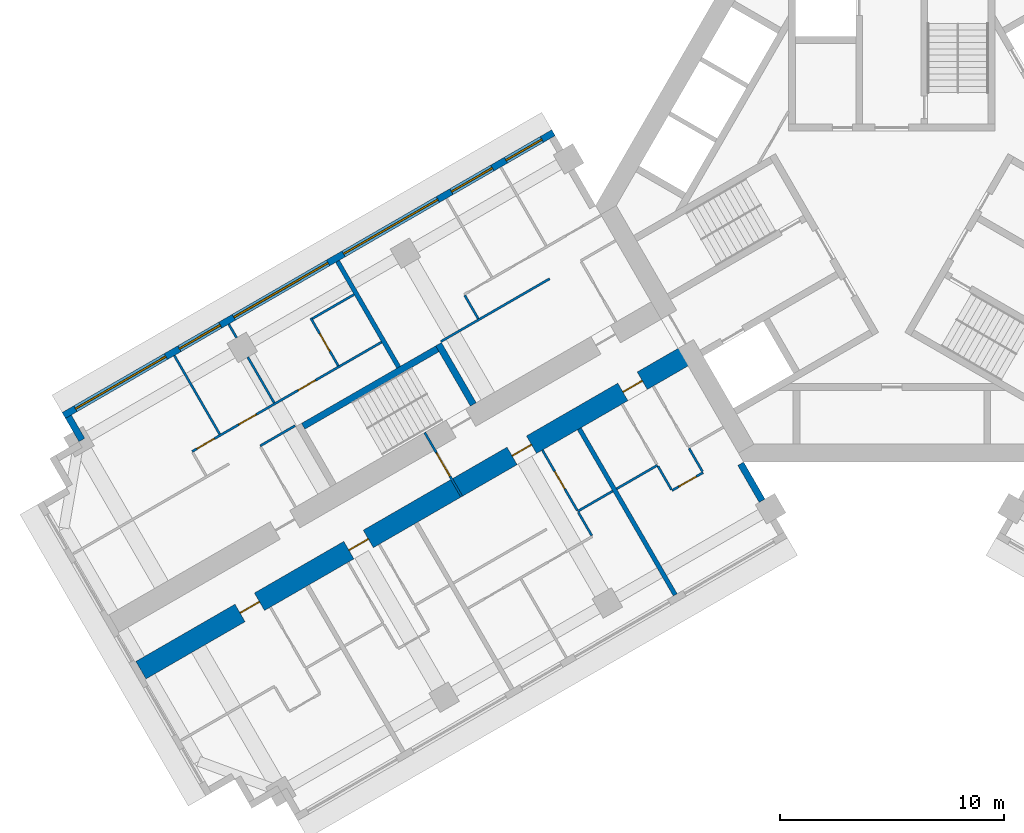
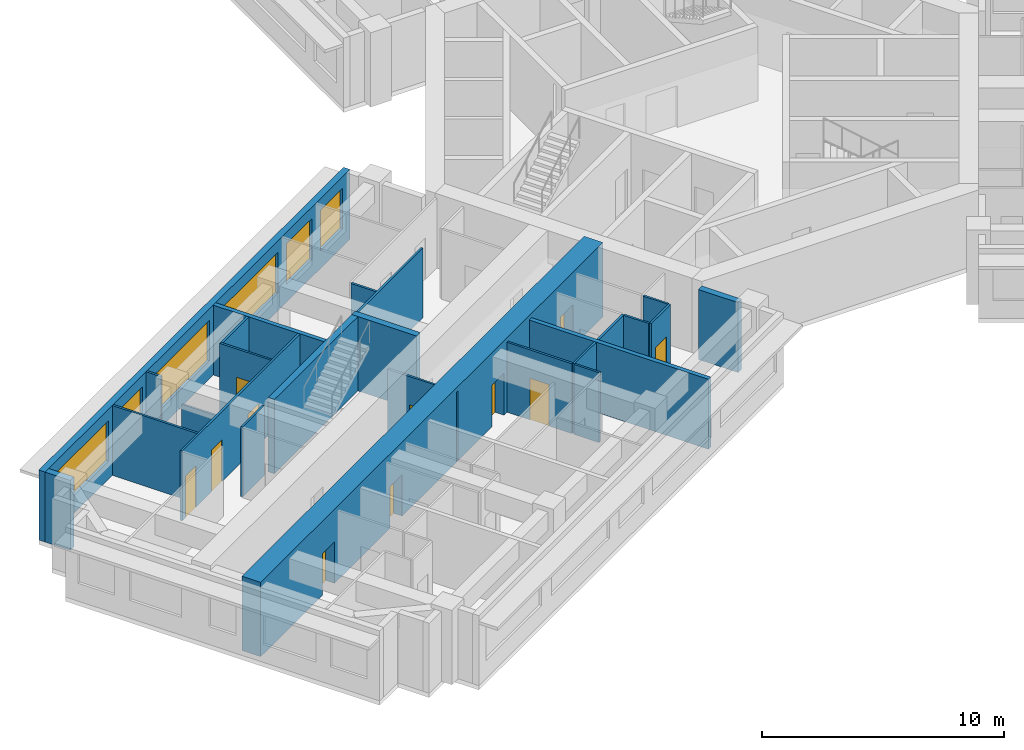
# One storey, part 4 of 14: 25 walls, 11 doors, 6 windows, 17 openings.
"""IFC4 building model written with IfcOpenShell, lengths in metres."""

from ifc_helpers import new_model, si_unit, direction, frame, frame_2d, origin, place, context, subcontext, project, spatial, rectangle, extrude, material, layer, layer_set, type_object, element, fill, save


model = new_model("IFC4")

# Units and contexts
model_context = context("Model", 3, precision=1e-05, world=origin(), true_north=direction((0.0, 1.0)))
body_context = subcontext(model_context, "Body", "Model", "MODEL_VIEW")
ifc_project = project(units=[si_unit("LENGTHUNIT", "METRE"), si_unit("AREAUNIT", "SQUARE_METRE"), si_unit("VOLUMEUNIT", "CUBIC_METRE"), si_unit("PLANEANGLEUNIT", "RADIAN"), si_unit("MASSUNIT", "GRAM", prefix="KILO")], contexts=[model_context])

# Site, building, storey
site_placement = place(None, origin())
site = spatial("IfcSite", under=ifc_project, at=site_placement, CompositionType="ELEMENT")
building_placement = place(site_placement, origin())
building = spatial("IfcBuilding", under=site, at=building_placement, Name="Impinga Residences", CompositionType="ELEMENT")
storey_placement = place(building_placement, frame((0.0, 0.0, 158.5)))
storey = spatial("IfcBuildingStorey", under=building, at=storey_placement, Name="L39", CompositionType="ELEMENT", Elevation=158.5)

# Wall, openings, doors
ifc_material_1 = material(Name="Concrete C60/75", Category="concrete")
ifc_layer_1 = layer(ifc_material_1, 0.89990234375)
ifc_layer_set_1 = layer_set([ifc_layer_1], Name="Concrete C60/75")
wall_type_1 = type_object("IfcWallType", Name="BW2 corridor buttress wall, L24 to L44 900", PredefinedType="SHEAR", material=ifc_layer_set_1)
wall_1_placement = place(storey_placement, frame((-8.95361328125, -6.554931640625, 0.0), z_axis=(0.0, 0.0, 1.0), x_axis=(-0.866023392092, -0.500003484338, 0.0)))
wall_1 = element("IfcWall", 1, at=wall_1_placement, inside=storey, type_object=wall_type_1, Name="Corridor wall BW2 WC L39", PredefinedType="SHEAR", context=body_context, shape_type="SweptSolid", body=[
    extrude(rectangle(XDim=28.300048828125, YDim=0.89990234375, at=frame_2d((14.14990234375, 0.0))), origin(), (0.0, 0.0, 1.0), 3.75),
])
opening_1_placement = place(wall_1_placement, frame((2.5, 0.0, 0.0)))
opening_1 = element("IfcOpeningElement", 2, at=opening_1_placement, cuts=wall_1, Name="Opening D1", PredefinedType="OPENING", context=body_context, shape_type="SweptSolid", body=[
    extrude(rectangle(XDim=1.0, YDim=2.10009765625, at=frame_2d((0.5, 1.050048828125))), frame((0.0, 0.4599609375, 0.0), z_axis=(0.0, -1.0, 0.0), x_axis=(1.0, 0.0, 0.0)), (0.0, 0.0, 1.0), 0.919921875),
])
opening_2_placement = place(wall_1_placement, frame((8.199951171875, 0.0, 0.0)))
opening_2 = element("IfcOpeningElement", 3, at=opening_2_placement, cuts=wall_1, Name="Opening D1", PredefinedType="OPENING", context=body_context, shape_type="SweptSolid", body=[
    extrude(rectangle(XDim=1.0, YDim=2.10009765625, at=frame_2d((0.5, 1.050048828125))), frame((0.0, 0.4599609375, 0.0), z_axis=(0.0, -1.0, 0.0), x_axis=(1.0, 0.0, 0.0)), (0.0, 0.0, 1.0), 0.919921875),
])
opening_3_placement = place(wall_1_placement, frame((16.60009765625, 0.0, 0.0)))
opening_3 = element("IfcOpeningElement", 4, at=opening_3_placement, cuts=wall_1, Name="Opening D1", PredefinedType="OPENING", context=body_context, shape_type="SweptSolid", body=[
    extrude(rectangle(XDim=1.0, YDim=2.10009765625, at=frame_2d((0.5, 1.050048828125))), frame((0.0, 0.4599609375, 0.0), z_axis=(0.0, -1.0, 0.0), x_axis=(1.0, 0.0, 0.0)), (0.0, 0.0, 1.0), 0.919921875),
])
opening_4_placement = place(wall_1_placement, frame((22.199951171875, 0.0, 0.0)))
opening_4 = element("IfcOpeningElement", 5, at=opening_4_placement, cuts=wall_1, Name="Opening D1", PredefinedType="OPENING", context=body_context, shape_type="SweptSolid", body=[
    extrude(rectangle(XDim=1.0, YDim=2.10009765625, at=frame_2d((0.5, 1.050048828125))), frame((0.0, 0.4599609375, 0.0), z_axis=(0.0, -1.0, 0.0), x_axis=(1.0, 0.0, 0.0)), (0.0, 0.0, 1.0), 0.919921875),
])
ifc_material_2 = material(Name="Timber door set", Category="wood")
door_type_1 = type_object("IfcDoorType", Name="D1 apartment entrance door 1000x2100", OperationType="SINGLE_SWING_LEFT", PredefinedType="DOOR", material=ifc_material_2)
door_1_placement = place(opening_1_placement, origin())
door_1 = element("IfcDoor", 6, at=door_1_placement, inside=storey, type_object=door_type_1, Name="Apartment L39-WA1 entrance", OperationType="SINGLE_SWING_LEFT", OverallHeight=2.10009765625, OverallWidth=1.0, PredefinedType="DOOR", context=body_context, shape_type="SweptSolid", body=[
    extrude(rectangle(XDim=1.0, YDim=2.10009765625, at=frame_2d((0.5, 1.050048828125))), frame((0.0, 0.02490234375, 0.0), z_axis=(0.0, -1.0, 0.0), x_axis=(1.0, 0.0, 0.0)), (0.0, 0.0, 1.0), 0.050048828125),
])
fill(opening_1, door_1)
door_2_placement = place(opening_2_placement, origin())
door_2 = element("IfcDoor", 7, at=door_2_placement, inside=storey, type_object=door_type_1, Name="Apartment L39-WA2 entrance", OperationType="SINGLE_SWING_LEFT", OverallHeight=2.10009765625, OverallWidth=1.0, PredefinedType="DOOR", context=body_context, shape_type="SweptSolid", body=[
    extrude(rectangle(XDim=1.0, YDim=2.10009765625, at=frame_2d((0.5, 1.050048828125))), frame((0.0, 0.02490234375, 0.0), z_axis=(0.0, -1.0, 0.0), x_axis=(1.0, 0.0, 0.0)), (0.0, 0.0, 1.0), 0.050048828125),
])
fill(opening_2, door_2)
door_3_placement = place(opening_3_placement, origin())
door_3 = element("IfcDoor", 8, at=door_3_placement, inside=storey, type_object=door_type_1, Name="Apartment L39-WA3 entrance", OperationType="SINGLE_SWING_RIGHT", OverallHeight=2.10009765625, OverallWidth=1.0, PredefinedType="DOOR", context=body_context, shape_type="SweptSolid", body=[
    extrude(rectangle(XDim=1.0, YDim=2.10009765625, at=frame_2d((0.5, 1.050048828125))), frame((0.0, 0.02490234375, 0.0), z_axis=(0.0, -1.0, 0.0), x_axis=(1.0, 0.0, 0.0)), (0.0, 0.0, 1.0), 0.050048828125),
])
fill(opening_3, door_3)
door_4_placement = place(opening_4_placement, origin())
door_4 = element("IfcDoor", 9, at=door_4_placement, inside=storey, type_object=door_type_1, Name="Apartment L39-WA4 entrance", OperationType="SINGLE_SWING_RIGHT", OverallHeight=2.10009765625, OverallWidth=1.0, PredefinedType="DOOR", context=body_context, shape_type="SweptSolid", body=[
    extrude(rectangle(XDim=1.0, YDim=2.10009765625, at=frame_2d((0.5, 1.050048828125))), frame((0.0, 0.02490234375, 0.0), z_axis=(0.0, -1.0, 0.0), x_axis=(1.0, 0.0, 0.0)), (0.0, 0.0, 1.0), 0.050048828125),
])
fill(opening_4, door_4)

# Wall, opening, door
ifc_material_3 = material(Name="Concrete blockwork", Category="masonry")
ifc_layer_2 = layer(ifc_material_3, 0.10009765625)
ifc_layer_set_2 = layer_set([ifc_layer_2], Name="CP1 core room partition, blockwork 100")
wall_type_2 = type_object("IfcWallType", Name="CP1 core room partition, blockwork 100", PredefinedType="PARTITIONING", material=ifc_layer_set_2)
wall_2_placement = place(storey_placement, frame((-19.16455078125, -12.969970703125, 0.0), z_axis=(0.0, 0.0, 1.0), x_axis=(-0.50002983664, 0.866008176907, 0.0)))
wall_2 = element("IfcWall", 10, at=wall_2_placement, inside=storey, type_object=wall_type_2, Name="Core room partition, blockwork L39:W:SCR", PredefinedType="PARTITIONING", context=body_context, shape_type="SweptSolid", body=[
    extrude(rectangle(XDim=3.300048828125, YDim=0.10009765625, at=frame_2d((1.64990234375, 0.0))), origin(), (0.0, 0.0, 1.0), 3.530029296875),
])
opening_5_placement = place(wall_2_placement, frame((1.050048828125, 0.0, 0.0)))
opening_5 = element("IfcOpeningElement", 11, at=opening_5_placement, cuts=wall_2, Name="Opening D3", PredefinedType="OPENING", context=body_context, shape_type="SweptSolid", body=[
    extrude(rectangle(XDim=1.199951171875, YDim=2.10009765625, at=frame_2d((0.60009765625, 1.050048828125))), frame((0.0, 0.06005859375, 0.0), z_axis=(0.0, -1.0, 0.0), x_axis=(1.0, 0.0, 0.0)), (0.0, 0.0, 1.0), 0.1201171875),
])
door_type_2 = type_object("IfcDoorType", Name="D3 room door, leaf and a half 1200x2100", OperationType="DOUBLE_SWING_LEFT", PredefinedType="DOOR", material=ifc_material_2)
door_5_placement = place(opening_5_placement, origin())
door_5 = element("IfcDoor", 12, at=door_5_placement, inside=storey, type_object=door_type_2, Name="Corridor smoke door W", OperationType="DOUBLE_SWING_LEFT", OverallHeight=2.10009765625, OverallWidth=1.199951171875, PredefinedType="DOOR", context=body_context, shape_type="SweptSolid", body=[
    extrude(rectangle(XDim=1.199951171875, YDim=2.10009765625, at=frame_2d((0.60009765625, 1.050048828125))), frame((0.0, 0.02490234375, 0.0), z_axis=(0.0, -1.0, 0.0), x_axis=(1.0, 0.0, 0.0)), (0.0, 0.0, 1.0), 0.050048828125),
])
fill(opening_5, door_5)

# Wall
ifc_material_4 = material(Name="Terracotta rainscreen on blockwork", Category="masonry")
ifc_layer_3 = layer(ifc_material_4, 0.300048828125)
ifc_layer_set_3 = layer_set([ifc_layer_3], Name="EW1 external wall, terracotta rainscreen on blockwork 300")
wall_type_3 = type_object("IfcWallType", Name="EW1 external wall, terracotta rainscreen on blockwork 300", PredefinedType="SOLIDWALL", material=ifc_layer_set_3)
wall_3_placement = place(storey_placement, frame((-36.093994140625, -10.446533203125, 0.0), z_axis=(0.0, 0.0, 1.0), x_axis=(-0.499880961361, 0.866094119867, 0.0)))
element("IfcWall", 13, at=wall_3_placement, inside=storey, type_object=wall_type_3, Name="External wall EW1 L39", PredefinedType="SOLIDWALL", context=body_context, shape_type="SweptSolid", body=[
    extrude(rectangle(XDim=1.199951171875, YDim=0.300048828125, at=frame_2d((0.60009765625, 0.0))), origin(), (0.0, 0.0, 1.0), 3.530029296875),
])

# Wall, openings, windows
wall_4_placement = place(storey_placement, frame((-36.89892578125, -9.352294921875, 0.0), z_axis=(0.0, 0.0, 1.0), x_axis=(0.86602925447, 0.499993330357, 0.0)))
wall_4 = element("IfcWall", 14, at=wall_4_placement, inside=storey, type_object=wall_type_3, Name="External wall EW1 L39", PredefinedType="SOLIDWALL", context=body_context, shape_type="SweptSolid", body=[
    extrude(rectangle(XDim=25.199951171875, YDim=0.300048828125, at=frame_2d((12.60009765625, 0.0))), origin(), (0.0, 0.0, 1.0), 3.530029296875),
])
opening_6_placement = place(wall_4_placement, frame((0.60009765625, 0.0, 0.89990234375)))
opening_6 = element("IfcOpeningElement", 15, at=opening_6_placement, cuts=wall_4, Name="Opening W10", PredefinedType="OPENING", context=body_context, shape_type="SweptSolid", body=[
    extrude(rectangle(XDim=4.64990234375, YDim=2.050048828125, at=frame_2d((2.324951171875, 1.02490234375))), frame((0.0, 0.159912109375, 0.0), z_axis=(0.0, -1.0, 0.0), x_axis=(1.0, 0.0, 0.0)), (0.0, 0.0, 1.0), 0.320068359375),
])
opening_7_placement = place(wall_4_placement, frame((5.949951171875, 0.0, 0.89990234375)))
opening_7 = element("IfcOpeningElement", 16, at=opening_7_placement, cuts=wall_4, Name="Opening W9", PredefinedType="OPENING", context=body_context, shape_type="SweptSolid", body=[
    extrude(rectangle(XDim=2.10009765625, YDim=2.050048828125, at=frame_2d((1.050048828125, 1.02490234375))), frame((0.0, 0.159912109375, 0.0), z_axis=(0.0, -1.0, 0.0), x_axis=(1.0, 0.0, 0.0)), (0.0, 0.0, 1.0), 0.320068359375),
])
opening_8_placement = place(wall_4_placement, frame((8.75, 0.0, 0.89990234375)))
opening_8 = element("IfcOpeningElement", 17, at=opening_8_placement, cuts=wall_4, Name="Opening W6", PredefinedType="OPENING", context=body_context, shape_type="SweptSolid", body=[
    extrude(rectangle(XDim=4.85009765625, YDim=2.050048828125, at=frame_2d((2.425048828125, 1.02490234375))), frame((0.0, 0.159912109375, 0.0), z_axis=(0.0, -1.0, 0.0), x_axis=(1.0, 0.0, 0.0)), (0.0, 0.0, 1.0), 0.320068359375),
])
opening_9_placement = place(wall_4_placement, frame((14.39990234375, 0.0, 0.89990234375)))
opening_9 = element("IfcOpeningElement", 18, at=opening_9_placement, cuts=wall_4, Name="Opening W6", PredefinedType="OPENING", context=body_context, shape_type="SweptSolid", body=[
    extrude(rectangle(XDim=4.85009765625, YDim=2.050048828125, at=frame_2d((2.425048828125, 1.02490234375))), frame((0.0, 0.159912109375, 0.0), z_axis=(0.0, -1.0, 0.0), x_axis=(1.0, 0.0, 0.0)), (0.0, 0.0, 1.0), 0.320068359375),
])
opening_10_placement = place(wall_4_placement, frame((19.949951171875, 0.0, 0.89990234375)))
opening_10 = element("IfcOpeningElement", 19, at=opening_10_placement, cuts=wall_4, Name="Opening W9", PredefinedType="OPENING", context=body_context, shape_type="SweptSolid", body=[
    extrude(rectangle(XDim=2.10009765625, YDim=2.050048828125, at=frame_2d((1.050048828125, 1.02490234375))), frame((0.0, 0.159912109375, 0.0), z_axis=(0.0, -1.0, 0.0), x_axis=(1.0, 0.0, 0.0)), (0.0, 0.0, 1.0), 0.320068359375),
])
opening_11_placement = place(wall_4_placement, frame((22.75, 0.0, 0.89990234375)))
opening_11 = element("IfcOpeningElement", 20, at=opening_11_placement, cuts=wall_4, Name="Opening W15", PredefinedType="OPENING", context=body_context, shape_type="SweptSolid", body=[
    extrude(rectangle(XDim=1.85009765625, YDim=2.050048828125, at=frame_2d((0.925048828125, 1.02490234375))), frame((0.0, 0.159912109375, 0.0), z_axis=(0.0, -1.0, 0.0), x_axis=(1.0, 0.0, 0.0)), (0.0, 0.0, 1.0), 0.320068359375),
])
ifc_material_5 = material(Name="Aluminium window, clear double glazing", Category="aluminium")
window_type_1 = type_object("IfcWindowType", Name="W10 ribbon window 4650x2050", PartitioningType="SINGLE_PANEL", PredefinedType="WINDOW", material=ifc_material_5)
window_1_placement = place(opening_6_placement, origin())
window_1 = element("IfcWindow", 21, at=window_1_placement, inside=storey, type_object=window_type_1, Name="Window L39", OverallHeight=2.050048828125, OverallWidth=4.64990234375, PartitioningType="SINGLE_PANEL", PredefinedType="WINDOW", context=body_context, shape_type="SweptSolid", body=[
    extrude(rectangle(XDim=4.64990234375, YDim=2.050048828125, at=frame_2d((2.324951171875, 1.02490234375))), frame((0.0, 0.030029296875, 0.0), z_axis=(0.0, -1.0, 0.0), x_axis=(1.0, 0.0, 0.0)), (0.0, 0.0, 1.0), 0.06005859375),
])
fill(opening_6, window_1)
window_type_2 = type_object("IfcWindowType", Name="W15 ribbon window 1850x2050", PartitioningType="SINGLE_PANEL", PredefinedType="WINDOW", material=ifc_material_5)
window_2_placement = place(opening_11_placement, origin())
window_2 = element("IfcWindow", 22, at=window_2_placement, inside=storey, type_object=window_type_2, Name="Window L39", OverallHeight=2.050048828125, OverallWidth=1.85009765625, PartitioningType="SINGLE_PANEL", PredefinedType="WINDOW", context=body_context, shape_type="SweptSolid", body=[
    extrude(rectangle(XDim=1.85009765625, YDim=2.050048828125, at=frame_2d((0.925048828125, 1.02490234375))), frame((0.0, 0.030029296875, 0.0), z_axis=(0.0, -1.0, 0.0), x_axis=(1.0, 0.0, 0.0)), (0.0, 0.0, 1.0), 0.06005859375),
])
fill(opening_11, window_2)
window_type_3 = type_object("IfcWindowType", Name="W6 ribbon window 4850x2050", PartitioningType="SINGLE_PANEL", PredefinedType="WINDOW", material=ifc_material_5)
window_3_placement = place(opening_8_placement, origin())
window_3 = element("IfcWindow", 23, at=window_3_placement, inside=storey, type_object=window_type_3, Name="Window L39", OverallHeight=2.050048828125, OverallWidth=4.85009765625, PartitioningType="SINGLE_PANEL", PredefinedType="WINDOW", context=body_context, shape_type="SweptSolid", body=[
    extrude(rectangle(XDim=4.85009765625, YDim=2.050048828125, at=frame_2d((2.425048828125, 1.02490234375))), frame((0.0, 0.030029296875, 0.0), z_axis=(0.0, -1.0, 0.0), x_axis=(1.0, 0.0, 0.0)), (0.0, 0.0, 1.0), 0.06005859375),
])
fill(opening_8, window_3)
window_4_placement = place(opening_9_placement, origin())
window_4 = element("IfcWindow", 24, at=window_4_placement, inside=storey, type_object=window_type_3, Name="Window L39", OverallHeight=2.050048828125, OverallWidth=4.85009765625, PartitioningType="SINGLE_PANEL", PredefinedType="WINDOW", context=body_context, shape_type="SweptSolid", body=[
    extrude(rectangle(XDim=4.85009765625, YDim=2.050048828125, at=frame_2d((2.425048828125, 1.02490234375))), frame((0.0, 0.030029296875, 0.0), z_axis=(0.0, -1.0, 0.0), x_axis=(1.0, 0.0, 0.0)), (0.0, 0.0, 1.0), 0.06005859375),
])
fill(opening_9, window_4)
window_type_4 = type_object("IfcWindowType", Name="W9 ribbon window 2100x2050", PartitioningType="SINGLE_PANEL", PredefinedType="WINDOW", material=ifc_material_5)
window_5_placement = place(opening_7_placement, origin())
window_5 = element("IfcWindow", 25, at=window_5_placement, inside=storey, type_object=window_type_4, Name="Window L39", OverallHeight=2.050048828125, OverallWidth=2.10009765625, PartitioningType="SINGLE_PANEL", PredefinedType="WINDOW", context=body_context, shape_type="SweptSolid", body=[
    extrude(rectangle(XDim=2.10009765625, YDim=2.050048828125, at=frame_2d((1.050048828125, 1.02490234375))), frame((0.0, 0.030029296875, 0.0), z_axis=(0.0, -1.0, 0.0), x_axis=(1.0, 0.0, 0.0)), (0.0, 0.0, 1.0), 0.06005859375),
])
fill(opening_7, window_5)
window_6_placement = place(opening_10_placement, origin())
window_6 = element("IfcWindow", 26, at=window_6_placement, inside=storey, type_object=window_type_4, Name="Window L39", OverallHeight=2.050048828125, OverallWidth=2.10009765625, PartitioningType="SINGLE_PANEL", PredefinedType="WINDOW", context=body_context, shape_type="SweptSolid", body=[
    extrude(rectangle(XDim=2.10009765625, YDim=2.050048828125, at=frame_2d((1.050048828125, 1.02490234375))), frame((0.0, 0.030029296875, 0.0), z_axis=(0.0, -1.0, 0.0), x_axis=(1.0, 0.0, 0.0)), (0.0, 0.0, 1.0), 0.06005859375),
])
fill(opening_10, window_6)

# Walls
wall_5_placement = place(storey_placement, frame((-6.72998046875, -11.506591796875, 0.0), z_axis=(0.0, 0.0, 1.0), x_axis=(0.500063520245, -0.865988727248, 0.0)))
element("IfcWall", 27, at=wall_5_placement, inside=storey, type_object=wall_type_3, Name="External wall EW1 L39", PredefinedType="SOLIDWALL", context=body_context, shape_type="SweptSolid", body=[
    extrude(rectangle(XDim=1.900146484375, YDim=0.300048828125, at=frame_2d((0.9501953125, 0.0))), origin(), (0.0, 0.0, 1.0), 3.530029296875),
])
ifc_material_6 = material(Name="Gypsum board on steel studs", Category="steel")
ifc_layer_4 = layer(ifc_material_6, 0.10009765625)
ifc_layer_set_4 = layer_set([ifc_layer_4], Name="Gypsum board on steel studs")
wall_type_4 = type_object("IfcWallType", Name="IP1 partition 100", PredefinedType="PARTITIONING", material=ifc_layer_set_4)
wall_6_placement = place(storey_placement, frame((-10.444580078125, -11.57275390625, 0.0), z_axis=(0.0, 0.0, 1.0), x_axis=(-0.866009402589, -0.500027713859, 0.0)))
element("IfcWall", 28, at=wall_6_placement, inside=storey, type_object=wall_type_4, Name="Partition L39-WA1:DIV1", PredefinedType="PARTITIONING", context=body_context, shape_type="SweptSolid", body=[
    extrude(rectangle(XDim=2.10009765625, YDim=0.10009765625, at=frame_2d((1.050048828125, 0.0))), origin(), (0.0, 0.0, 1.0), 3.530029296875),
])

# Wall, opening, door
wall_7_placement = place(storey_placement, frame((-8.408935546875, -11.8984375, 0.0), z_axis=(0.0, 0.0, 1.0), x_axis=(-0.865989903783, -0.500061482766, 0.0)))
wall_7 = element("IfcWall", 29, at=wall_7_placement, inside=storey, type_object=wall_type_4, Name="Partition L39-WA1:STRIP", PredefinedType="PARTITIONING", context=body_context, shape_type="SweptSolid", body=[
    extrude(rectangle(XDim=1.599853515625, YDim=0.10009765625, at=frame_2d((0.7998046875, 0.0))), origin(), (0.0, 0.0, 1.0), 3.530029296875),
])
opening_12_placement = place(wall_7_placement, frame((0.35009765625, 0.0, 0.0)))
opening_12 = element("IfcOpeningElement", 30, at=opening_12_placement, cuts=wall_7, Name="Opening D2", PredefinedType="OPENING", context=body_context, shape_type="SweptSolid", body=[
    extrude(rectangle(XDim=0.89990234375, YDim=2.10009765625, at=frame_2d((0.449951171875, 1.050048828125))), frame((0.0, 0.06005859375, 0.0), z_axis=(0.0, -1.0, 0.0), x_axis=(1.0, 0.0, 0.0)), (0.0, 0.0, 1.0), 0.1201171875),
])
door_type_3 = type_object("IfcDoorType", Name="D2 internal door 900x2100", OperationType="SINGLE_SWING_LEFT", PredefinedType="DOOR", material=ifc_material_2)
door_6_placement = place(opening_12_placement, origin())
door_6 = element("IfcDoor", 31, at=door_6_placement, inside=storey, type_object=door_type_3, Name="Apartment L39-WA1 room door", OperationType="SINGLE_SWING_LEFT", OverallHeight=2.10009765625, OverallWidth=0.89990234375, PredefinedType="DOOR", context=body_context, shape_type="SweptSolid", body=[
    extrude(rectangle(XDim=0.89990234375, YDim=2.10009765625, at=frame_2d((0.449951171875, 1.050048828125))), frame((0.0, 0.02490234375, 0.0), z_axis=(0.0, -1.0, 0.0), x_axis=(1.0, 0.0, 0.0)), (0.0, 0.0, 1.0), 0.050048828125),
])
fill(opening_12, door_6)

# Walls
wall_8_placement = place(storey_placement, frame((-9.033935546875, -10.81591796875, 0.0), z_axis=(0.0, 0.0, 1.0), x_axis=(0.500033551112, -0.866006032174, 0.0)))
element("IfcWall", 32, at=wall_8_placement, inside=storey, type_object=wall_type_4, Name="Partition L39-WA1:SE0", PredefinedType="PARTITIONING", context=body_context, shape_type="SweptSolid", body=[
    extrude(rectangle(XDim=1.2001953125, YDim=0.10009765625, at=frame_2d((0.60009765625, 0.0))), origin(), (0.0, 0.0, 1.0), 3.530029296875),
])
wall_9_placement = place(storey_placement, frame((-10.41943359375, -11.615966796875, 0.0), z_axis=(0.0, 0.0, 1.0), x_axis=(0.499880961361, -0.866094119867, 0.0)))
element("IfcWall", 33, at=wall_9_placement, inside=storey, type_object=wall_type_4, Name="Partition L39-WA1:SE1", PredefinedType="PARTITIONING", context=body_context, shape_type="SweptSolid", body=[
    extrude(rectangle(XDim=1.199951171875, YDim=0.10009765625, at=frame_2d((0.60009765625, 0.0))), origin(), (0.0, 0.0, 1.0), 3.530029296875),
])
wall_10_placement = place(storey_placement, frame((-12.436279296875, -12.72265625, 0.0), z_axis=(0.0, 0.0, 1.0), x_axis=(-0.865989075817, -0.500062916607, 0.0)))
element("IfcWall", 34, at=wall_10_placement, inside=storey, type_object=wall_type_4, Name="Partition L39-WA2:DIV0", PredefinedType="PARTITIONING", context=body_context, shape_type="SweptSolid", body=[
    extrude(rectangle(XDim=1.800048828125, YDim=0.10009765625, at=frame_2d((0.89990234375, 0.0))), origin(), (0.0, 0.0, 1.0), 3.530029296875),
])
wall_11_placement = place(storey_placement, frame((-13.97021484375, -13.666015625, 0.0), z_axis=(0.0, 0.0, 1.0), x_axis=(0.500033551112, -0.866006032174, 0.0)))
element("IfcWall", 35, at=wall_11_placement, inside=storey, type_object=wall_type_4, Name="Partition L39-WA2:SE0", PredefinedType="PARTITIONING", context=body_context, shape_type="SweptSolid", body=[
    extrude(rectangle(XDim=1.2001953125, YDim=0.10009765625, at=frame_2d((0.60009765625, 0.0))), origin(), (0.0, 0.0, 1.0), 3.530029296875),
])

# Wall, opening, door
wall_12_placement = place(storey_placement, frame((-15.5703125, -10.894775390625, 0.0), z_axis=(0.0, 0.0, 1.0), x_axis=(0.500026960575, -0.86600983753, 0.0)))
wall_12 = element("IfcWall", 36, at=wall_12_placement, inside=storey, type_object=wall_type_4, Name="Partition L39-WA2:IB1", PredefinedType="PARTITIONING", context=body_context, shape_type="SweptSolid", body=[
    extrude(rectangle(XDim=3.099853515625, YDim=0.10009765625, at=frame_2d((1.5498046875, 0.0))), origin(), (0.0, 0.0, 1.0), 3.530029296875),
])
opening_13_placement = place(wall_12_placement, frame((1.10009765625, 0.0, 0.0)))
opening_13 = element("IfcOpeningElement", 37, at=opening_13_placement, cuts=wall_12, Name="Opening D2", PredefinedType="OPENING", context=body_context, shape_type="SweptSolid", body=[
    extrude(rectangle(XDim=0.89990234375, YDim=2.10009765625, at=frame_2d((0.449951171875, 1.050048828125))), frame((0.0, 0.06005859375, 0.0), z_axis=(0.0, -1.0, 0.0), x_axis=(1.0, 0.0, 0.0)), (0.0, 0.0, 1.0), 0.1201171875),
])
door_7_placement = place(opening_13_placement, origin())
door_7 = element("IfcDoor", 38, at=door_7_placement, inside=storey, type_object=door_type_3, Name="Apartment L39-WA2 bathroom door", OperationType="SINGLE_SWING_LEFT", OverallHeight=2.10009765625, OverallWidth=0.89990234375, PredefinedType="DOOR", context=body_context, shape_type="SweptSolid", body=[
    extrude(rectangle(XDim=0.89990234375, YDim=2.10009765625, at=frame_2d((0.449951171875, 1.050048828125))), frame((0.0, 0.02490234375, 0.0), z_axis=(0.0, -1.0, 0.0), x_axis=(1.0, 0.0, 0.0)), (0.0, 0.0, 1.0), 0.050048828125),
])
fill(opening_13, door_7)

# Walls
wall_13_placement = place(storey_placement, frame((-15.244384765625, -3.2587890625, 0.0), z_axis=(0.0, 0.0, 1.0), x_axis=(-0.866026594901, -0.49999793692, 0.0)))
element("IfcWall", 39, at=wall_13_placement, inside=storey, type_object=wall_type_4, Name="Partition L39-WF1:DIV1", PredefinedType="PARTITIONING", context=body_context, shape_type="SweptSolid", body=[
    extrude(rectangle(XDim=5.60009765625, YDim=0.10009765625, at=frame_2d((2.800048828125, 0.0))), origin(), (0.0, 0.0, 1.0), 3.530029296875),
])
wall_14_placement = place(storey_placement, frame((-18.430419921875, -5.04052734375, 0.0), z_axis=(0.0, 0.0, 1.0), x_axis=(-0.500033551112, 0.866006032174, 0.0)))
element("IfcWall", 40, at=wall_14_placement, inside=storey, type_object=wall_type_4, Name="Partition L39-WF1:SE1", PredefinedType="PARTITIONING", context=body_context, shape_type="SweptSolid", body=[
    extrude(rectangle(XDim=1.2001953125, YDim=0.10009765625, at=frame_2d((0.60009765625, 0.0))), origin(), (0.0, 0.0, 1.0), 3.530029296875),
])
wall_15_placement = place(storey_placement, frame((-26.58935546875, -9.808837890625, 0.0), z_axis=(0.0, 0.0, 1.0), x_axis=(-0.866047807691, -0.499961193289, 0.0)))
element("IfcWall", 41, at=wall_15_placement, inside=storey, type_object=wall_type_4, Name="Partition L39-WF2:DIV0", PredefinedType="PARTITIONING", context=body_context, shape_type="SweptSolid", body=[
    extrude(rectangle(XDim=1.800048828125, YDim=0.10009765625, at=frame_2d((0.89990234375, 0.0))), origin(), (0.0, 0.0, 1.0), 3.530029296875),
])

# Wall, openings, doors
wall_16_placement = place(storey_placement, frame((-22.736083984375, -6.0830078125, 0.0), z_axis=(0.0, 0.0, 1.0), x_axis=(-0.866027967067, -0.499995560238, 0.0)))
wall_16 = element("IfcWall", 42, at=wall_16_placement, inside=storey, type_object=wall_type_4, Name="Partition L39-WF2:STRIP", PredefinedType="PARTITIONING", context=body_context, shape_type="SweptSolid", body=[
    extrude(rectangle(XDim=9.75, YDim=0.10009765625, at=frame_2d((4.875, 0.0))), origin(), (0.0, 0.0, 1.0), 3.530029296875),
])
opening_14_placement = place(wall_16_placement, frame((3.39990234375, 0.0, 0.0)))
opening_14 = element("IfcOpeningElement", 43, at=opening_14_placement, cuts=wall_16, Name="Opening D2", PredefinedType="OPENING", context=body_context, shape_type="SweptSolid", body=[
    extrude(rectangle(XDim=0.89990234375, YDim=2.10009765625, at=frame_2d((0.449951171875, 1.050048828125))), frame((0.0, 0.06005859375, 0.0), z_axis=(0.0, -1.0, 0.0), x_axis=(1.0, 0.0, 0.0)), (0.0, 0.0, 1.0), 0.1201171875),
])
opening_15_placement = place(wall_16_placement, frame((6.449951171875, 0.0, 0.0)))
opening_15 = element("IfcOpeningElement", 44, at=opening_15_placement, cuts=wall_16, Name="Opening D2", PredefinedType="OPENING", context=body_context, shape_type="SweptSolid", body=[
    extrude(rectangle(XDim=0.89990234375, YDim=2.10009765625, at=frame_2d((0.449951171875, 1.050048828125))), frame((0.0, 0.06005859375, 0.0), z_axis=(0.0, -1.0, 0.0), x_axis=(1.0, 0.0, 0.0)), (0.0, 0.0, 1.0), 0.1201171875),
])
opening_16_placement = place(wall_16_placement, frame((8.60009765625, 0.0, 0.0)))
opening_16 = element("IfcOpeningElement", 45, at=opening_16_placement, cuts=wall_16, Name="Opening D2", PredefinedType="OPENING", context=body_context, shape_type="SweptSolid", body=[
    extrude(rectangle(XDim=0.89990234375, YDim=2.10009765625, at=frame_2d((0.449951171875, 1.050048828125))), frame((0.0, 0.06005859375, 0.0), z_axis=(0.0, -1.0, 0.0), x_axis=(1.0, 0.0, 0.0)), (0.0, 0.0, 1.0), 0.1201171875),
])
door_8_placement = place(opening_14_placement, origin())
door_8 = element("IfcDoor", 46, at=door_8_placement, inside=storey, type_object=door_type_3, Name="Apartment L39-WF2 room door", OperationType="SINGLE_SWING_LEFT", OverallHeight=2.10009765625, OverallWidth=0.89990234375, PredefinedType="DOOR", context=body_context, shape_type="SweptSolid", body=[
    extrude(rectangle(XDim=0.89990234375, YDim=2.10009765625, at=frame_2d((0.449951171875, 1.050048828125))), frame((0.0, 0.02490234375, 0.0), z_axis=(0.0, -1.0, 0.0), x_axis=(1.0, 0.0, 0.0)), (0.0, 0.0, 1.0), 0.050048828125),
])
fill(opening_14, door_8)
door_9_placement = place(opening_15_placement, origin())
door_9 = element("IfcDoor", 47, at=door_9_placement, inside=storey, type_object=door_type_3, Name="Apartment L39-WF2 room door", OperationType="SINGLE_SWING_RIGHT", OverallHeight=2.10009765625, OverallWidth=0.89990234375, PredefinedType="DOOR", context=body_context, shape_type="SweptSolid", body=[
    extrude(rectangle(XDim=0.89990234375, YDim=2.10009765625, at=frame_2d((0.449951171875, 1.050048828125))), frame((0.0, 0.02490234375, 0.0), z_axis=(0.0, -1.0, 0.0), x_axis=(1.0, 0.0, 0.0)), (0.0, 0.0, 1.0), 0.050048828125),
])
fill(opening_15, door_9)
door_10_placement = place(opening_16_placement, origin())
door_10 = element("IfcDoor", 48, at=door_10_placement, inside=storey, type_object=door_type_3, Name="Apartment L39-WF2 room door", OperationType="SINGLE_SWING_RIGHT", OverallHeight=2.10009765625, OverallWidth=0.89990234375, PredefinedType="DOOR", context=body_context, shape_type="SweptSolid", body=[
    extrude(rectangle(XDim=0.89990234375, YDim=2.10009765625, at=frame_2d((0.449951171875, 1.050048828125))), frame((0.0, 0.02490234375, 0.0), z_axis=(0.0, -1.0, 0.0), x_axis=(1.0, 0.0, 0.0)), (0.0, 0.0, 1.0), 0.050048828125),
])
fill(opening_16, door_10)

# Walls
wall_17_placement = place(storey_placement, frame((-27.524169921875, -8.789794921875, 0.0), z_axis=(0.0, 0.0, 1.0), x_axis=(-0.500016218704, 0.866016039709, 0.0)))
element("IfcWall", 49, at=wall_17_placement, inside=storey, type_object=wall_type_4, Name="Partition L39-WF2:OB1", PredefinedType="PARTITIONING", context=body_context, shape_type="SweptSolid", body=[
    extrude(rectangle(XDim=2.35009765625, YDim=0.10009765625, at=frame_2d((1.175048828125, 0.0))), origin(), (0.0, 0.0, 1.0), 2.47998046875),
])
wall_18_placement = place(storey_placement, frame((-29.19921875, -5.888427734375, 0.0), z_axis=(0.0, 0.0, 1.0), x_axis=(-0.500114896893, 0.865959057869, 0.0)))
element("IfcWall", 50, at=wall_18_placement, inside=storey, type_object=wall_type_4, Name="Partition L39-WF2:OB1b", PredefinedType="PARTITIONING", context=body_context, shape_type="SweptSolid", body=[
    extrude(rectangle(XDim=0.699951171875, YDim=0.10009765625, at=frame_2d((0.35009765625, 0.0))), origin(), (0.0, 0.0, 1.0), 3.530029296875),
])
wall_19_placement = place(storey_placement, frame((-29.94921875, -10.189697265625, 0.0), z_axis=(0.0, 0.0, 1.0), x_axis=(-0.499990325971, 0.866030989016, 0.0)))
element("IfcWall", 51, at=wall_19_placement, inside=storey, type_object=wall_type_4, Name="Partition L39-WF2:OB2", PredefinedType="PARTITIONING", context=body_context, shape_type="SweptSolid", body=[
    extrude(rectangle(XDim=4.0498046875, YDim=0.10009765625, at=frame_2d((2.02490234375, 0.0))), origin(), (0.0, 0.0, 1.0), 3.530029296875),
])

# Wall, opening, door
wall_20_placement = place(storey_placement, frame((-24.666259765625, -7.1396484375, 0.0), z_axis=(0.0, 0.0, 1.0), x_axis=(-0.500061746146, 0.865989751695, 0.0)))
wall_20 = element("IfcWall", 52, at=wall_20_placement, inside=storey, type_object=wall_type_4, Name="Partition L39-WF2:EN1", PredefinedType="PARTITIONING", context=body_context, shape_type="SweptSolid", body=[
    extrude(rectangle(XDim=2.449951171875, YDim=0.10009765625, at=frame_2d((1.22509765625, 0.0))), origin(), (0.0, 0.0, 1.0), 3.530029296875),
])
opening_17_placement = place(wall_20_placement, frame((0.75, 0.0, 0.0)))
opening_17 = element("IfcOpeningElement", 53, at=opening_17_placement, cuts=wall_20, Name="Opening D2", PredefinedType="OPENING", context=body_context, shape_type="SweptSolid", body=[
    extrude(rectangle(XDim=0.89990234375, YDim=2.10009765625, at=frame_2d((0.449951171875, 1.050048828125))), frame((0.0, 0.06005859375, 0.0), z_axis=(0.0, -1.0, 0.0), x_axis=(1.0, 0.0, 0.0)), (0.0, 0.0, 1.0), 0.1201171875),
])
door_11_placement = place(opening_17_placement, origin())
door_11 = element("IfcDoor", 54, at=door_11_placement, inside=storey, type_object=door_type_3, Name="Apartment L39-WF2 en-suite door", OperationType="SINGLE_SWING_LEFT", OverallHeight=2.10009765625, OverallWidth=0.89990234375, PredefinedType="DOOR", context=body_context, shape_type="SweptSolid", body=[
    extrude(rectangle(XDim=0.89990234375, YDim=2.10009765625, at=frame_2d((0.449951171875, 1.050048828125))), frame((0.0, 0.02490234375, 0.0), z_axis=(0.0, -1.0, 0.0), x_axis=(1.0, 0.0, 0.0)), (0.0, 0.0, 1.0), 0.050048828125),
])
fill(opening_17, door_11)

# Walls
wall_21_placement = place(storey_placement, frame((-23.961181640625, -3.961181640625, 0.0), z_axis=(0.0, 0.0, 1.0), x_axis=(-0.866019166195, -0.500010803666, 0.0)))
element("IfcWall", 55, at=wall_21_placement, inside=storey, type_object=wall_type_4, Name="Partition L39-WF2:EN2", PredefinedType="PARTITIONING", context=body_context, shape_type="SweptSolid", body=[
    extrude(rectangle(XDim=2.14990234375, YDim=0.10009765625, at=frame_2d((1.074951171875, 0.0))), origin(), (0.0, 0.0, 1.0), 3.530029296875),
])
ifc_layer_5 = layer(ifc_material_3, 0.199951171875)
ifc_layer_set_5 = layer_set([ifc_layer_5], Name="PW1 party wall between apartments 200")
wall_type_5 = type_object("IfcWallType", Name="PW1 party wall between apartments 200", PredefinedType="SOLIDWALL", material=ifc_layer_set_5)
wall_22_placement = place(storey_placement, frame((-13.9248046875, -9.94482421875, 0.0), z_axis=(0.0, 0.0, 1.0), x_axis=(0.500024008071, -0.866011542275, 0.0)))
element("IfcWall", 56, at=wall_22_placement, inside=storey, type_object=wall_type_5, Name="Party wall between apartments L39-WA1:PARTY", PredefinedType="SOLIDWALL", context=body_context, shape_type="SweptSolid", body=[
    extrude(rectangle(XDim=8.5498046875, YDim=0.199951171875, at=frame_2d((4.27490234375, 0.0))), origin(), (0.0, 0.0, 1.0), 3.530029296875),
])
wall_23_placement = place(storey_placement, frame((-21.974365234375, -7.2021484375, 0.0), z_axis=(0.0, 0.0, 1.0), x_axis=(-0.500022328685, 0.866012511928, 0.0)))
element("IfcWall", 57, at=wall_23_placement, inside=storey, type_object=wall_type_5, Name="Party wall between apartments L39-WF1:PARTY", PredefinedType="SOLIDWALL", context=body_context, shape_type="SweptSolid", body=[
    extrude(rectangle(XDim=5.449951171875, YDim=0.199951171875, at=frame_2d((2.72509765625, 0.0))), origin(), (0.0, 0.0, 1.0), 3.530029296875),
])
ifc_layer_6 = layer(ifc_material_1, 0.300048828125)
ifc_layer_set_6 = layer_set([ifc_layer_6], Name="Concrete C60/75")
wall_type_6 = type_object("IfcWallType", Name="SE1 wing stair enclosure wall 300", PredefinedType="SOLIDWALL", material=ifc_layer_set_6)
wall_24_placement = place(storey_placement, frame((-18.649169921875, -8.86181640625, 0.0), z_axis=(0.0, 0.0, 1.0), x_axis=(-0.500026960575, 0.86600983753, 0.0)))
element("IfcWall", 58, at=wall_24_placement, inside=storey, type_object=wall_type_6, Name="Stair enclosure wall SE1 W END0 L39", PredefinedType="SOLIDWALL", context=body_context, shape_type="SweptSolid", body=[
    extrude(rectangle(XDim=3.099853515625, YDim=0.300048828125, at=frame_2d((1.5498046875, 0.0))), origin(), (0.0, 0.0, 1.0), 3.75),
])
wall_25_placement = place(storey_placement, frame((-20.254150390625, -6.382080078125, 0.0), z_axis=(0.0, 0.0, 1.0), x_axis=(-0.866020008033, -0.500009345598, 0.0)))
element("IfcWall", 59, at=wall_25_placement, inside=storey, type_object=wall_type_6, Name="Stair enclosure wall SE1 W OUT L39", PredefinedType="SOLIDWALL", context=body_context, shape_type="SweptSolid", body=[
    extrude(rectangle(XDim=6.899658203125, YDim=0.300048828125, at=frame_2d((3.44970703125, 0.0))), origin(), (0.0, 0.0, 1.0), 3.75),
])

save(model, "model.ifc")
